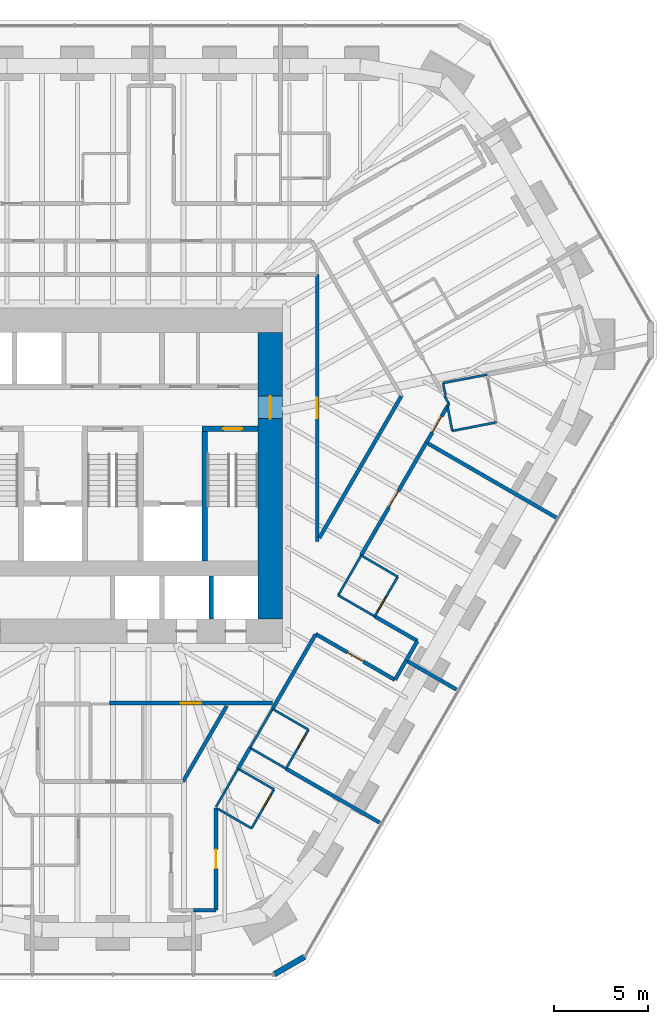
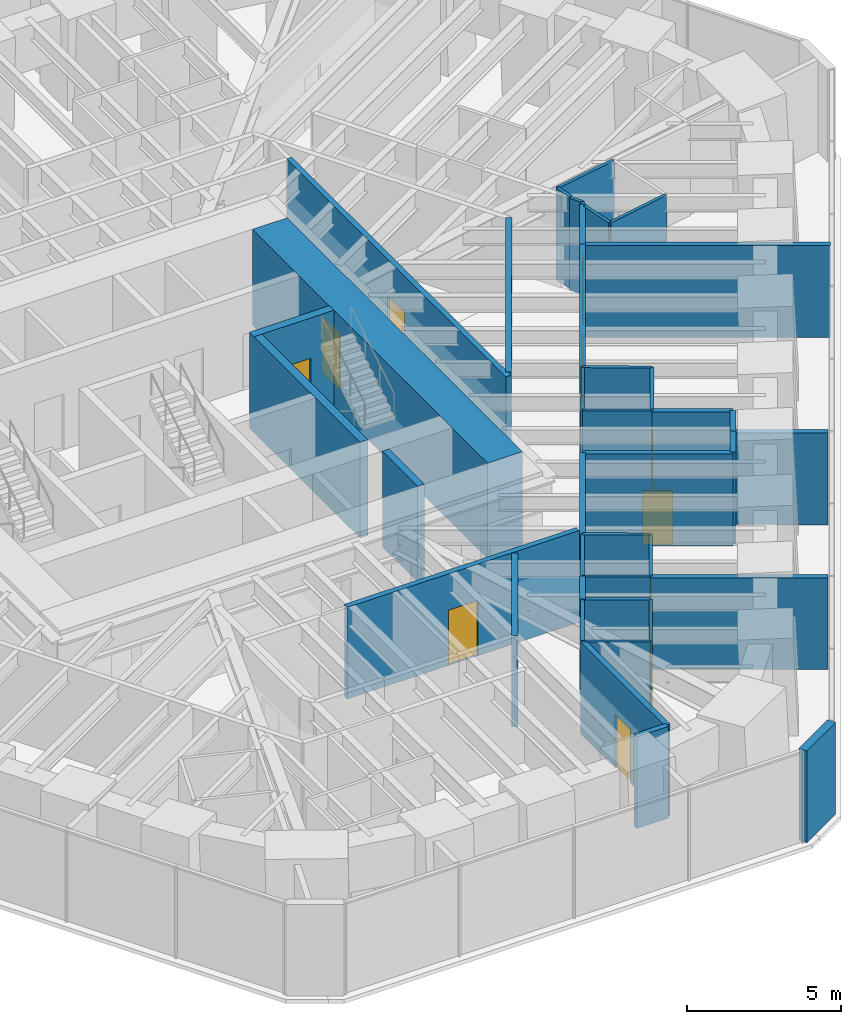
# One storey, part 13 of 17: 40 walls, 11 doors, 11 openings.
"""IFC4 building model written with IfcOpenShell, lengths in metres."""

import ifcopenshell
import ifcopenshell.guid

model = None  # the IFC model being written
_history = None  # IfcOwnerHistory: only IFC2X3 demands one
_inside = {}  # id of a spatial element -> (the spatial element, [elements in it])
_under = {}  # id of a project, library or spatial element -> (it, [spatial elements below it])
_declared = {}  # id of a project -> (the project, [libraries it declares])
_typed = {}  # id of a type object -> (the type object, [elements of that type])
_made_of = {}  # id of a material, layer set ... -> (it, [elements and type objects made of it])


def new_model(schema):
    """Start an empty IFC model of exactly this schema.

    Asked for "IFC4X3", IfcOpenShell would pick the latest addendum, in which some entities
    have other attributes; the version numbers below select the first issue.
    IFC2X3 requires an IfcOwnerHistory on every rooted entity: one is made here for all.
    """
    global model, _history
    if schema == "IFC4X3":
        model = ifcopenshell.file(schema_version=(4, 3, 0, 0))
    else:
        model = ifcopenshell.file(schema=schema)
    _inside.clear()
    _under.clear()
    _declared.clear()
    _typed.clear()
    _made_of.clear()
    _history = None
    if model.schema == "IFC2X3":
        org = make("IfcOrganization", Name="unknown")
        user = make(
            "IfcPersonAndOrganization",
            ThePerson=make("IfcPerson", FamilyName="unknown"),
            TheOrganization=org,
        )
        app = make(
            "IfcApplication",
            ApplicationDeveloper=org,
            Version="unknown",
            ApplicationFullName="unknown",
            ApplicationIdentifier="unknown",
        )
        _history = make(
            "IfcOwnerHistory",
            OwningUser=user,
            OwningApplication=app,
            ChangeAction="ADDED",
            CreationDate=0,
        )
    return model


def make(cls, **values):
    """One entity of the class cls with the attributes given. An attribute that is None is left unset."""
    return model.create_entity(
        cls, **{name: value for name, value in values.items() if value is not None}
    )


def rooted(cls, **values):
    """An entity with a GlobalId (a new one), such as an element, a storey or a relation."""
    return make(cls, GlobalId=ifcopenshell.guid.new(), OwnerHistory=_history, **values)


def si_unit(unit_type, name, prefix=None):
    """IfcSIUnit, for example si_unit("LENGTHUNIT", "METRE", prefix="MILLI")."""
    return make("IfcSIUnit", UnitType=unit_type, Prefix=prefix, Name=name)


def assignment(units):
    """IfcUnitAssignment: the units of a project."""
    return None if units is None else make("IfcUnitAssignment", Units=units)


def point(xyz):
    """IfcCartesianPoint."""
    return None if xyz is None else make("IfcCartesianPoint", Coordinates=xyz)


def direction(xyz):
    """IfcDirection."""
    return None if xyz is None else make("IfcDirection", DirectionRatios=xyz)


def frame(location, z_axis=None, x_axis=None):
    """IfcAxis2Placement3D, a coordinate frame: its origin and axes. An axis left out is left unset."""
    return make(
        "IfcAxis2Placement3D",
        Location=point(location),
        Axis=direction(z_axis),
        RefDirection=direction(x_axis),
    )


def frame_2d(location, x_axis=None):
    """IfcAxis2Placement2D, a coordinate frame in the plane: its origin and x axis."""
    return make(
        "IfcAxis2Placement2D", Location=point(location), RefDirection=direction(x_axis)
    )


def origin():
    """The frame at (0, 0, 0) with its axes left unset."""
    return frame((0.0, 0.0, 0.0))


def place(relative_to, where):
    """IfcLocalPlacement: puts the frame where relative to a parent placement (None: the world)."""
    return make(
        "IfcLocalPlacement", PlacementRelTo=relative_to, RelativePlacement=where
    )


def context(
    kind, dimensions, precision=None, world=None, true_north=None, identifier=None
):
    """IfcGeometricRepresentationContext, for example the 3D "Model" context."""
    return make(
        "IfcGeometricRepresentationContext",
        ContextIdentifier=identifier,
        ContextType=kind,
        CoordinateSpaceDimension=dimensions,
        Precision=precision,
        WorldCoordinateSystem=world,
        TrueNorth=true_north,
    )


def subcontext(parent, identifier, kind, view, scale=None):
    """IfcGeometricRepresentationSubContext, for example "Body" below "Model"."""
    return make(
        "IfcGeometricRepresentationSubContext",
        ContextIdentifier=identifier,
        ContextType=kind,
        ParentContext=parent,
        TargetScale=scale,
        TargetView=view,
    )


def project(units=None, contexts=None):
    """IfcProject with its units and contexts."""
    return rooted(
        "IfcProject",
        Name="project",
        RepresentationContexts=contexts,
        UnitsInContext=assignment(units),
    )


def spatial(cls, under=None, at=None, **own):
    """A site, building, storey or space (cls), placed at a placement, below another one or the project."""
    s = rooted(cls, ObjectPlacement=at, **own)
    if under is not None:
        _under.setdefault(under.id(), (under, []))[1].append(s)
    return s


def profile(cls, at=None, kind="AREA", **sizes):
    """A parametric profile (cls). Its sizes go by their IFC names, for example OverallWidth=200.0."""
    return make(cls, ProfileType=kind, Position=at, **sizes)


def rectangle(**sizes):
    """IfcRectangleProfileDef."""
    return profile("IfcRectangleProfileDef", **sizes)


def extrude(swept, where, along, depth):
    """IfcExtrudedAreaSolid: the profile swept, set in the frame where, extruded along a direction by depth."""
    return make(
        "IfcExtrudedAreaSolid",
        SweptArea=swept,
        Position=where,
        ExtrudedDirection=direction(along),
        Depth=depth,
    )


def shape(context_of_items, identifier, shape_type, items):
    """IfcShapeRepresentation: the items that make up one representation, for example the "Body"."""
    return make(
        "IfcShapeRepresentation",
        ContextOfItems=context_of_items,
        RepresentationIdentifier=identifier,
        RepresentationType=shape_type,
        Items=items,
    )


def material(Name=None, Category=None):
    """IfcMaterial."""
    return make("IfcMaterial", Name=Name, Category=Category)


def layer(
    of_material, thickness, ventilated=None, Name=None, Category=None, Priority=None
):
    """IfcMaterialLayer: one layer of a wall or slab, of a material (None: an air gap)."""
    return make(
        "IfcMaterialLayer",
        Material=of_material,
        LayerThickness=thickness,
        IsVentilated=ventilated,
        Name=Name,
        Category=Category,
        Priority=Priority,
    )


def layer_set(layers, Name=None):
    """IfcMaterialLayerSet."""
    return make("IfcMaterialLayerSet", MaterialLayers=layers, LayerSetName=Name)


def made_of(thing, what):
    """Note that an element or type object is made of a material, layer set ...; save() writes the relation."""
    if what is not None:
        _made_of.setdefault(what.id(), (what, []))[1].append(thing)
    return thing


def type_object(cls, material=None, **own):
    """A type object (cls), such as IfcWallType, which elements share."""
    return made_of(rooted(cls, **own), material)


def element(
    cls,
    number,
    at=None,
    inside=None,
    cuts=None,
    type_object=None,
    material=None,
    context=None,
    identifier="Body",
    shape_type=None,
    held_by="IfcProductDefinitionShape",
    body=None,
    shapes=None,
    **own,
):
    """One element of the class cls, such as IfcWall. Its Tag is "e" and its number.

    at: its placement. inside: the storey or other place that contains it. cuts: it is an
    opening in that element (IfcRelVoidsElement). A single representation is given by context,
    identifier, shape_type and body (its items); several are given by shapes. held_by: the class
    of the entity that holds the representations. save() writes the other relations.
    """
    e = rooted(cls, Tag="e%d" % number, ObjectPlacement=at, **own)
    if body is not None:
        shapes = [shape(context, identifier, shape_type, body)]
    if shapes is not None:
        e.Representation = make(held_by, Representations=shapes)
    if inside is not None:
        _inside.setdefault(inside.id(), (inside, []))[1].append(e)
    if cuts is not None:
        rooted(
            "IfcRelVoidsElement", RelatingBuildingElement=cuts, RelatedOpeningElement=e
        )
    if type_object is not None:
        _typed.setdefault(type_object.id(), (type_object, []))[1].append(e)
    return made_of(e, material)


def fill(opening, filler):
    """IfcRelFillsElement: the door or window that sits in an opening."""
    return rooted(
        "IfcRelFillsElement",
        RelatingOpeningElement=opening,
        RelatedBuildingElement=filler,
    )


def aggregate(whole, parts):
    """IfcRelAggregates: a whole, such as a stair, and the parts it consists of."""
    return rooted("IfcRelAggregates", RelatingObject=whole, RelatedObjects=parts)


def save(model, path):
    """Write the relations noted so far, then the file.

    IfcRelAggregates (storeys below a building ...), IfcRelContainedInSpatialStructure (elements
    in a storey), IfcRelDefinesByType, IfcRelAssociatesMaterial and IfcRelDeclares: one each for
    every whole, place, type object, material and project.
    """
    for whole, parts in _under.values():
        aggregate(whole, parts)
    for where, things in _inside.values():
        rooted(
            "IfcRelContainedInSpatialStructure",
            RelatedElements=things,
            RelatingStructure=where,
        )
    for kind, things in _typed.values():
        rooted("IfcRelDefinesByType", RelatedObjects=things, RelatingType=kind)
    for what, things in _made_of.values():
        rooted("IfcRelAssociatesMaterial", RelatedObjects=things, RelatingMaterial=what)
    for by, libraries in _declared.values():
        rooted("IfcRelDeclares", RelatingContext=by, RelatedDefinitions=libraries)
    model.write(path)


model = new_model("IFC4")

# Units and contexts
model_context = context("Model", 3, precision=1e-05, world=origin(), true_north=direction((0.0, 1.0)))
body_context = subcontext(model_context, "Body", "Model", "MODEL_VIEW")
ifc_project = project(units=[si_unit("LENGTHUNIT", "METRE"), si_unit("AREAUNIT", "SQUARE_METRE"), si_unit("VOLUMEUNIT", "CUBIC_METRE"), si_unit("PLANEANGLEUNIT", "RADIAN"), si_unit("MASSUNIT", "GRAM", prefix="KILO")], contexts=[model_context])

# Site, building, storey
site_placement = place(None, origin())
site = spatial("IfcSite", under=ifc_project, at=site_placement, CompositionType="ELEMENT")
building_placement = place(site_placement, origin())
building = spatial("IfcBuilding", under=site, at=building_placement, Name="Sandreach Pilgrim Tower", CompositionType="ELEMENT")
storey_placement = place(building_placement, frame((0.0, 0.0, 165.199951171875)))
storey = spatial("IfcBuildingStorey", under=building, at=storey_placement, Name="L41", CompositionType="ELEMENT", Elevation=165.199951171875)

# Walls
ifc_material_1 = material(Name="Moisture-resistant gypsum board on steel studs", Category="steel")
ifc_layer_1 = layer(ifc_material_1, 0.1201171875)
ifc_layer_set_1 = layer_set([ifc_layer_1], Name="Bathroom partition 120")
wall_type_1 = type_object("IfcWallType", Name="Bathroom partition 120", PredefinedType="PARTITIONING", material=ifc_layer_set_1)
wall_1_placement = place(storey_placement, frame((5.510009765625, -19.25, 0.0), z_axis=(0.0, 0.0, 1.0), x_axis=(0.498837591974, 0.866695481028, 0.0)))
element("IfcWall", 1, at=wall_1_placement, inside=storey, type_object=wall_type_1, Name="Bathroom partition L41-111", PredefinedType="PARTITIONING", context=body_context, shape_type="SweptSolid", body=[
    extrude(rectangle(XDim=2.365478515625, YDim=0.1201171875, at=frame_2d((1.1826171875, 0.0))), origin(), (0.0, 0.0, 1.0), 3.64013671875),
])
wall_2_placement = place(storey_placement, frame((5.566162109375, -19.322509765625, 0.0), z_axis=(0.0, 0.0, 1.0), x_axis=(0.865436746432, -0.501018201192, 0.0)))
element("IfcWall", 2, at=wall_2_placement, inside=storey, type_object=wall_type_1, Name="Bathroom partition L41-112", PredefinedType="PARTITIONING", context=body_context, shape_type="SweptSolid", body=[
    extrude(rectangle(XDim=2.13037109375, YDim=0.1201171875, at=frame_2d((1.065185546875, 0.0))), origin(), (0.0, 0.0, 1.0), 3.64013671875),
])
wall_3_placement = place(storey_placement, frame((7.330078125, -16.090087890625, 0.0), z_axis=(0.0, 0.0, 1.0), x_axis=(0.499693115345, 0.866202511239, 0.0)))
element("IfcWall", 3, at=wall_3_placement, inside=storey, type_object=wall_type_1, Name="Bathroom partition L41-120", PredefinedType="PARTITIONING", context=body_context, shape_type="SweptSolid", body=[
    extrude(rectangle(XDim=2.4013671875, YDim=0.1201171875, at=frame_2d((1.20068359375, 0.0))), origin(), (0.0, 0.0, 1.0), 3.64013671875),
])
wall_4_placement = place(storey_placement, frame((7.330078125, -16.090087890625, 0.0), z_axis=(0.0, 0.0, 1.0), x_axis=(0.86575271903, -0.500472006703, 0.0)))
element("IfcWall", 4, at=wall_4_placement, inside=storey, type_object=wall_type_1, Name="Bathroom partition L41-121", PredefinedType="PARTITIONING", context=body_context, shape_type="SweptSolid", body=[
    extrude(rectangle(XDim=2.217529296875, YDim=0.1201171875, at=frame_2d((1.10888671875, 0.0))), origin(), (0.0, 0.0, 1.0), 3.64013671875),
])

# Wall, opening, door
wall_5_placement = place(storey_placement, frame((7.409912109375, -20.389892578125, 0.0), z_axis=(0.0, 0.0, 1.0), x_axis=(0.499737123639, 0.866177122335, 0.0)))
wall_5 = element("IfcWall", 5, at=wall_5_placement, inside=storey, type_object=wall_type_1, Name="Bathroom partition L41-122", PredefinedType="PARTITIONING", context=body_context, shape_type="SweptSolid", body=[
    extrude(rectangle(XDim=2.401123046875, YDim=0.1201171875, at=frame_2d((1.20068359375, 0.0))), origin(), (0.0, 0.0, 1.0), 3.64013671875),
])
opening_1_placement = place(wall_5_placement, frame((1.201416015625, 0.0, 0.0)))
opening_1 = element("IfcOpeningElement", 6, at=opening_1_placement, cuts=wall_5, Name="Opening D09-10B", PredefinedType="OPENING", context=body_context, shape_type="SweptSolid", body=[
    extrude(rectangle(XDim=0.89990234375, YDim=2.030029296875, at=frame_2d((0.449951171875, 1.01513671875))), frame((0.0, 0.06005859375, 0.0), z_axis=(0.0, -1.0, 0.0), x_axis=(1.0, 0.0, 0.0)), (0.0, 0.0, 1.0), 0.1201171875),
])
ifc_material_2 = material(Name="Timber door, steel frame", Category="steel")
door_type_1 = type_object("IfcDoorType", Name="Bathroom door", OperationType="SINGLE_SWING_LEFT", PredefinedType="DOOR", material=ifc_material_2)
door_1_placement = place(opening_1_placement, origin())
door_1 = element("IfcDoor", 7, at=door_1_placement, inside=storey, type_object=door_type_1, Name="Door 4110B", OperationType="SINGLE_SWING_RIGHT", OverallHeight=2.030029296875, OverallWidth=0.89990234375, PredefinedType="DOOR", context=body_context, shape_type="SweptSolid", body=[
    extrude(rectangle(XDim=0.89990234375, YDim=2.030029296875, at=frame_2d((0.449951171875, 1.01513671875))), frame((0.0, 0.02490234375, 0.0), z_axis=(0.0, -1.0, 0.0), x_axis=(1.0, 0.0, 0.0)), (0.0, 0.0, 1.0), 0.050048828125),
])
fill(opening_1, door_1)

# Wall
wall_6_placement = place(storey_placement, frame((8.610107421875, -18.31005859375, 0.0), z_axis=(0.0, 0.0, 1.0), x_axis=(-0.865732595383, 0.500506816428, 0.0)))
element("IfcWall", 8, at=wall_6_placement, inside=storey, type_object=wall_type_1, Name="Bathroom partition L41-125", PredefinedType="PARTITIONING", context=body_context, shape_type="SweptSolid", body=[
    extrude(rectangle(XDim=2.218017578125, YDim=0.1201171875, at=frame_2d((1.10888671875, 0.0))), origin(), (0.0, 0.0, 1.0), 3.64013671875),
])

# Wall, opening, door
wall_7_placement = place(storey_placement, frame((9.25, -17.199951171875, 0.0), z_axis=(0.0, 0.0, 1.0), x_axis=(0.499737123639, 0.866177122335, 0.0)))
wall_7 = element("IfcWall", 9, at=wall_7_placement, inside=storey, type_object=wall_type_1, Name="Bathroom partition L41-133", PredefinedType="PARTITIONING", context=body_context, shape_type="SweptSolid", body=[
    extrude(rectangle(XDim=2.401123046875, YDim=0.1201171875, at=frame_2d((1.20068359375, 0.0))), origin(), (0.0, 0.0, 1.0), 3.64013671875),
])
opening_2_placement = place(wall_7_placement, frame((1.201416015625, 0.0, 0.0)))
opening_2 = element("IfcOpeningElement", 10, at=opening_2_placement, cuts=wall_7, Name="Opening D09-09B", PredefinedType="OPENING", context=body_context, shape_type="SweptSolid", body=[
    extrude(rectangle(XDim=0.89990234375, YDim=2.030029296875, at=frame_2d((0.449951171875, 1.01513671875))), frame((0.0, 0.06005859375, 0.0), z_axis=(0.0, -1.0, 0.0), x_axis=(1.0, 0.0, 0.0)), (0.0, 0.0, 1.0), 0.1201171875),
])
door_2_placement = place(opening_2_placement, origin())
door_2 = element("IfcDoor", 11, at=door_2_placement, inside=storey, type_object=door_type_1, Name="Door 4109B", OperationType="SINGLE_SWING_RIGHT", OverallHeight=2.030029296875, OverallWidth=0.89990234375, PredefinedType="DOOR", context=body_context, shape_type="SweptSolid", body=[
    extrude(rectangle(XDim=0.89990234375, YDim=2.030029296875, at=frame_2d((0.449951171875, 1.01513671875))), frame((0.0, 0.02490234375, 0.0), z_axis=(0.0, -1.0, 0.0), x_axis=(1.0, 0.0, 0.0)), (0.0, 0.0, 1.0), 0.050048828125),
])
fill(opening_2, door_2)

# Walls
wall_8_placement = place(storey_placement, frame((10.449951171875, -15.1201171875, 0.0), z_axis=(0.0, 0.0, 1.0), x_axis=(-0.865705017107, 0.500554515868, 0.0)))
element("IfcWall", 12, at=wall_8_placement, inside=storey, type_object=wall_type_1, Name="Bathroom partition L41-135", PredefinedType="PARTITIONING", context=body_context, shape_type="SweptSolid", body=[
    extrude(rectangle(XDim=2.2177734375, YDim=0.1201171875, at=frame_2d((1.10888671875, 0.0))), origin(), (0.0, 0.0, 1.0), 3.64013671875),
])
wall_9_placement = place(storey_placement, frame((12.0400390625, -7.93994140625, 0.0), z_axis=(0.0, 0.0, 1.0), x_axis=(0.866198237018, -0.499700524501, 0.0)))
element("IfcWall", 13, at=wall_9_placement, inside=storey, type_object=wall_type_1, Name="Bathroom partition L41-145", PredefinedType="PARTITIONING", context=body_context, shape_type="SweptSolid", body=[
    extrude(rectangle(XDim=2.2490234375, YDim=0.1201171875, at=frame_2d((1.12451171875, 0.0))), origin(), (0.0, 0.0, 1.0), 3.64013671875),
])
wall_10_placement = place(storey_placement, frame((13.27001953125, -5.81005859375, 0.0), z_axis=(0.0, 0.0, 1.0), x_axis=(-0.500089055364, -0.86597398154, 0.0)))
element("IfcWall", 14, at=wall_10_placement, inside=storey, type_object=wall_type_1, Name="Bathroom partition L41-149", PredefinedType="PARTITIONING", context=body_context, shape_type="SweptSolid", body=[
    extrude(rectangle(XDim=2.45947265625, YDim=0.1201171875, at=frame_2d((1.229736328125, 0.0))), origin(), (0.0, 0.0, 1.0), 3.64013671875),
])

# Wall, opening, door
wall_11_placement = place(storey_placement, frame((13.989990234375, -9.06005859375, 0.0), z_axis=(0.0, 0.0, 1.0), x_axis=(0.503591322258, 0.863942000453, 0.0)))
wall_11 = element("IfcWall", 15, at=wall_11_placement, inside=storey, type_object=wall_type_1, Name="Bathroom partition L41-151", PredefinedType="PARTITIONING", context=body_context, shape_type="SweptSolid", body=[
    extrude(rectangle(XDim=2.4423828125, YDim=0.1201171875, at=frame_2d((1.22119140625, 0.0))), origin(), (0.0, 0.0, 1.0), 3.64013671875),
])
opening_3_placement = place(wall_11_placement, frame((0.300048828125, 0.0, 0.0)))
opening_3 = element("IfcOpeningElement", 16, at=opening_3_placement, cuts=wall_11, Name="Opening D09-08B", PredefinedType="OPENING", context=body_context, shape_type="SweptSolid", body=[
    extrude(rectangle(XDim=0.89990234375, YDim=2.030029296875, at=frame_2d((0.449951171875, 1.01513671875))), frame((0.0, 0.06005859375, 0.0), z_axis=(0.0, -1.0, 0.0), x_axis=(1.0, 0.0, 0.0)), (0.0, 0.0, 1.0), 0.1201171875),
])
door_3_placement = place(opening_3_placement, origin())
door_3 = element("IfcDoor", 17, at=door_3_placement, inside=storey, type_object=door_type_1, Name="Door 4108B", OperationType="SINGLE_SWING_LEFT", OverallHeight=2.030029296875, OverallWidth=0.89990234375, PredefinedType="DOOR", context=body_context, shape_type="SweptSolid", body=[
    extrude(rectangle(XDim=0.89990234375, YDim=2.030029296875, at=frame_2d((0.449951171875, 1.01513671875))), frame((0.0, 0.02490234375, 0.0), z_axis=(0.0, -1.0, 0.0), x_axis=(1.0, 0.0, 0.0)), (0.0, 0.0, 1.0), 0.050048828125),
])
fill(opening_3, door_3)

# Walls
wall_12_placement = place(storey_placement, frame((15.219970703125, -6.949951171875, 0.0), z_axis=(0.0, 0.0, 1.0), x_axis=(-0.863312009027, 0.50467056093, 0.0)))
element("IfcWall", 18, at=wall_12_placement, inside=storey, type_object=wall_type_1, Name="Bathroom partition L41-154", PredefinedType="PARTITIONING", context=body_context, shape_type="SweptSolid", body=[
    extrude(rectangle(XDim=2.2587890625, YDim=0.1201171875, at=frame_2d((1.12939453125, 0.0))), origin(), (0.0, 0.0, 1.0), 3.64013671875),
])
wall_13_placement = place(storey_placement, frame((17.639892578125, 3.39990234375, 0.0), z_axis=(0.0, 0.0, 1.0), x_axis=(0.982288725898, 0.187373581313, 0.0)))
element("IfcWall", 19, at=wall_13_placement, inside=storey, type_object=wall_type_1, Name="Bathroom partition L41-161", PredefinedType="PARTITIONING", context=body_context, shape_type="SweptSolid", body=[
    extrude(rectangle(XDim=2.402587890625, YDim=0.1201171875, at=frame_2d((1.201171875, 0.0))), origin(), (0.0, 0.0, 1.0), 3.64013671875),
])
wall_14_placement = place(storey_placement, frame((17.719970703125, 2.699951171875, 0.0), z_axis=(0.0, 0.0, 1.0), x_axis=(0.498530782172, -0.866871997025, 0.0)))
element("IfcWall", 20, at=wall_14_placement, inside=storey, type_object=wall_type_1, Name="Bathroom partition L41-162", PredefinedType="PARTITIONING", context=body_context, shape_type="SweptSolid", body=[
    extrude(rectangle(XDim=0.46142578125, YDim=0.1201171875, at=frame_2d((0.230712890625, 0.0))), origin(), (0.0, 0.0, 1.0), 3.64013671875),
])
wall_15_placement = place(storey_placement, frame((17.773681640625, 2.7314453125, 0.0), z_axis=(0.0, 0.0, 1.0), x_axis=(-0.196253874553, 0.980553117747, 0.0)))
element("IfcWall", 21, at=wall_15_placement, inside=storey, type_object=wall_type_1, Name="Bathroom partition L41-163", PredefinedType="PARTITIONING", context=body_context, shape_type="SweptSolid", body=[
    extrude(rectangle(XDim=0.681640625, YDim=0.1201171875, at=frame_2d((0.3408203125, 0.0))), origin(), (0.0, 0.0, 1.0), 3.64013671875),
])
wall_16_placement = place(storey_placement, frame((17.8798828125, 2.169921875, 0.0), z_axis=(0.0, 0.0, 1.0), x_axis=(0.474099823035, 0.880471099922, 0.0)))
element("IfcWall", 22, at=wall_16_placement, inside=storey, type_object=wall_type_1, Name="Bathroom partition L41-164", PredefinedType="PARTITIONING", context=body_context, shape_type="SweptSolid", body=[
    extrude(rectangle(XDim=0.147705078125, YDim=0.1201171875, at=frame_2d((0.07373046875, 0.0))), origin(), (0.0, 0.0, 1.0), 3.64013671875),
])
wall_17_placement = place(storey_placement, frame((17.896728515625, 2.08154296875, 0.0), z_axis=(0.0, 0.0, 1.0), x_axis=(0.184580266957, -0.982817442382, 0.0)))
element("IfcWall", 23, at=wall_17_placement, inside=storey, type_object=wall_type_1, Name="Bathroom partition L41-165", PredefinedType="PARTITIONING", context=body_context, shape_type="SweptSolid", body=[
    extrude(rectangle(XDim=1.26318359375, YDim=0.1201171875, at=frame_2d((0.631591796875, 0.0))), origin(), (0.0, 0.0, 1.0), 3.64013671875),
])
wall_18_placement = place(storey_placement, frame((18.1298828125, 0.840087890625, 0.0), z_axis=(0.0, 0.0, 1.0), x_axis=(0.981533392326, 0.191290877329, 0.0)))
element("IfcWall", 24, at=wall_18_placement, inside=storey, type_object=wall_type_1, Name="Bathroom partition L41-166", PredefinedType="PARTITIONING", context=body_context, shape_type="SweptSolid", body=[
    extrude(rectangle(XDim=2.404541015625, YDim=0.1201171875, at=frame_2d((1.2021484375, 0.0))), origin(), (0.0, 0.0, 1.0), 3.64013671875),
])
ifc_material_3 = material(Name="Concrete 10000 psi", Category="concrete")
ifc_layer_2 = layer(ifc_material_3, 0.300048828125)
ifc_layer_set_2 = layer_set([ifc_layer_2], Name="Core inner wall 300")
wall_type_2 = type_object("IfcWallType", Name="Core inner wall 300", PredefinedType="SHEAR", material=ifc_layer_set_2)
wall_19_placement = place(storey_placement, frame((4.89990234375, -6.10009765625, 0.0), z_axis=(0.0, 0.0, 1.0), x_axis=(0.0, 1.0, 0.0)))
element("IfcWall", 25, at=wall_19_placement, inside=storey, type_object=wall_type_2, Name="Core wall I3 L41", PredefinedType="SHEAR", context=body_context, shape_type="SweptSolid", body=[
    extrude(rectangle(XDim=7.2001953125, YDim=0.300048828125, at=frame_2d((3.60009765625, 0.0))), origin(), (0.0, 0.0, 1.0), 3.800048828125),
])

# Wall, opening, door
wall_20_placement = place(storey_placement, frame((4.75, 0.949951171875, 0.0), z_axis=(0.0, 0.0, 1.0), x_axis=(1.0, 0.0, 0.0)))
wall_20 = element("IfcWall", 26, at=wall_20_placement, inside=storey, type_object=wall_type_2, Name="Core wall SN2 L41", PredefinedType="SHEAR", context=body_context, shape_type="SweptSolid", body=[
    extrude(rectangle(XDim=3.0, YDim=0.300048828125, at=frame_2d((1.5, 0.0))), origin(), (0.0, 0.0, 1.0), 3.800048828125),
])
opening_4_placement = place(wall_20_placement, frame((1.14990234375, 0.0, 0.0)))
opening_4 = element("IfcOpeningElement", 27, at=opening_4_placement, cuts=wall_20, Name="Opening D10S-ST2", PredefinedType="OPENING", context=body_context, shape_type="SweptSolid", body=[
    extrude(rectangle(XDim=1.0, YDim=2.199951171875, at=frame_2d((0.5, 1.10009765625))), frame((0.0, 0.14990234375, 0.0), z_axis=(0.0, -1.0, 0.0), x_axis=(1.0, 0.0, 0.0)), (0.0, 0.0, 1.0), 0.300048828125),
])
ifc_material_4 = material(Name="Steel door and frame", Category="steel")
door_type_2 = type_object("IfcDoorType", Name="Stair door", OperationType="SINGLE_SWING_LEFT", PredefinedType="DOOR", material=ifc_material_4)
door_4_placement = place(opening_4_placement, origin())
door_4 = element("IfcDoor", 28, at=door_4_placement, inside=storey, type_object=door_type_2, Name="Stair door ST2 L41", OperationType="SINGLE_SWING_RIGHT", OverallHeight=2.199951171875, OverallWidth=1.0, PredefinedType="DOOR", context=body_context, shape_type="SweptSolid", body=[
    extrude(rectangle(XDim=1.0, YDim=2.199951171875, at=frame_2d((0.5, 1.10009765625))), frame((0.0, 0.02490234375, 0.0), z_axis=(0.0, -1.0, 0.0), x_axis=(1.0, 0.0, 0.0)), (0.0, 0.0, 1.0), 0.050048828125),
])
fill(opening_4, door_4)

ifc_material_5 = material(Name="Concrete 10000 psi", Category="concrete")
ifc_layer_3 = layer(ifc_material_5, 1.300048828125)
ifc_layer_set_3 = layer_set([ifc_layer_3], Name="Core wall 1300")
wall_type_3 = type_object("IfcWallType", Name="Core wall 1300", PredefinedType="SHEAR", material=ifc_layer_set_3)
wall_21_placement = place(storey_placement, frame((8.39990234375, -9.199951171875, 0.0), z_axis=(0.0, 0.0, 1.0), x_axis=(0.0, 1.0, 0.0)))
wall_21 = element("IfcWall", 29, at=wall_21_placement, inside=storey, type_object=wall_type_3, Name="Core wall E L41", PredefinedType="SHEAR", context=body_context, shape_type="SweptSolid", body=[
    extrude(rectangle(XDim=15.300048828125, YDim=1.300048828125, at=frame_2d((7.64990234375, 0.0))), origin(), (0.0, 0.0, 1.0), 3.800048828125),
])
opening_5_placement = place(wall_21_placement, frame((10.699951171875, 0.0, 0.0)))
opening_5 = element("IfcOpeningElement", 30, at=opening_5_placement, cuts=wall_21, Name="Opening D12F-E", PredefinedType="OPENING", context=body_context, shape_type="SweptSolid", body=[
    extrude(rectangle(XDim=1.199951171875, YDim=2.199951171875, at=frame_2d((0.60009765625, 1.10009765625))), frame((0.0, 0.64990234375, 0.0), z_axis=(0.0, -1.0, 0.0), x_axis=(1.0, 0.0, 0.0)), (0.0, 0.0, 1.0), 1.300048828125),
])
ifc_material_6 = material(Name="Steel door and frame", Category="steel")
door_type_3 = type_object("IfcDoorType", Name="Fire lobby door", OperationType="SINGLE_SWING_LEFT", PredefinedType="DOOR", material=ifc_material_6)
door_5_placement = place(opening_5_placement, origin())
door_5 = element("IfcDoor", 31, at=door_5_placement, inside=storey, type_object=door_type_3, Name="Fire service lobby door E L41", OperationType="SINGLE_SWING_RIGHT", OverallHeight=2.199951171875, OverallWidth=1.199951171875, PredefinedType="DOOR", context=body_context, shape_type="SweptSolid", body=[
    extrude(rectangle(XDim=1.199951171875, YDim=2.199951171875, at=frame_2d((0.60009765625, 1.10009765625))), frame((0.0, 0.02490234375, 0.0), z_axis=(0.0, -1.0, 0.0), x_axis=(1.0, 0.0, 0.0)), (0.0, 0.0, 1.0), 0.050048828125),
])
fill(opening_5, door_5)

# Wall
ifc_material_7 = material(Name="Gypsum board on steel studs, two layers each side", Category="steel")
ifc_layer_4 = layer(ifc_material_7, 0.199951171875)
ifc_layer_set_4 = layer_set([ifc_layer_4], Name="Corridor wall 200")
wall_type_4 = type_object("IfcWallType", Name="Corridor wall 200", PredefinedType="PARTITIONING", material=ifc_layer_set_4)
wall_22_placement = place(storey_placement, frame((4.31005859375, -24.760009765625, 0.0), z_axis=(0.0, 0.0, 1.0), x_axis=(1.0, 0.0, 0.0)))
element("IfcWall", 32, at=wall_22_placement, inside=storey, type_object=wall_type_4, Name="Corridor wall L41-109", PredefinedType="PARTITIONING", context=body_context, shape_type="SweptSolid", body=[
    extrude(rectangle(XDim=1.18994140625, YDim=0.199951171875, at=frame_2d((0.594970703125, 0.0))), origin(), (0.0, 0.0, 1.0), 3.64013671875),
])

# Wall, opening, door
wall_23_placement = place(storey_placement, frame((5.510009765625, -24.760009765625, 0.0), z_axis=(0.0, 0.0, 1.0), x_axis=(0.0, 1.0, 0.0)))
wall_23 = element("IfcWall", 33, at=wall_23_placement, inside=storey, type_object=wall_type_4, Name="Corridor wall L41-110", PredefinedType="PARTITIONING", context=body_context, shape_type="SweptSolid", body=[
    extrude(rectangle(XDim=5.469970703125, YDim=0.199951171875, at=frame_2d((2.73486328125, 0.0))), origin(), (0.0, 0.0, 1.0), 3.64013671875),
])
opening_6_placement = place(wall_23_placement, frame((2.235107421875, 0.0, 0.0)))
opening_6 = element("IfcOpeningElement", 34, at=opening_6_placement, cuts=wall_23, Name="Opening D10-10", PredefinedType="OPENING", context=body_context, shape_type="SweptSolid", body=[
    extrude(rectangle(XDim=1.0, YDim=2.1298828125, at=frame_2d((0.5, 1.06494140625))), frame((0.0, 0.10009765625, 0.0), z_axis=(0.0, -1.0, 0.0), x_axis=(1.0, 0.0, 0.0)), (0.0, 0.0, 1.0), 0.199951171875),
])
ifc_material_8 = material(Name="Steel door and frame", Category="steel")
door_type_4 = type_object("IfcDoorType", Name="Guest room entry door", OperationType="SINGLE_SWING_LEFT", PredefinedType="DOOR", material=ifc_material_8)
door_6_placement = place(opening_6_placement, origin())
door_6 = element("IfcDoor", 35, at=door_6_placement, inside=storey, type_object=door_type_4, Name="Door 4110", OperationType="SINGLE_SWING_LEFT", OverallHeight=2.1298828125, OverallWidth=1.0, PredefinedType="DOOR", context=body_context, shape_type="SweptSolid", body=[
    extrude(rectangle(XDim=1.0, YDim=2.1298828125, at=frame_2d((0.5, 1.06494140625))), frame((0.0, 0.02490234375, 0.0), z_axis=(0.0, -1.0, 0.0), x_axis=(1.0, 0.0, 0.0)), (0.0, 0.0, 1.0), 0.050048828125),
])
fill(opening_6, door_6)

# Walls
wall_24_placement = place(storey_placement, frame((6.08251953125, -13.849609375, 0.0), z_axis=(0.0, 0.0, 1.0), x_axis=(-0.499977643516, -0.866038310922, 0.0)))
element("IfcWall", 36, at=wall_24_placement, inside=storey, type_object=wall_type_4, Name="Corridor wall L41-113", PredefinedType="PARTITIONING", context=body_context, shape_type="SweptSolid", body=[
    extrude(rectangle(XDim=4.665283203125, YDim=0.199951171875, at=frame_2d((2.33251953125, 0.0))), origin(), (0.0, 0.0, 1.0), 3.64013671875),
])
wall_25_placement = place(storey_placement, frame((6.68994140625, -17.199951171875, 0.0), z_axis=(0.0, 0.0, 1.0), x_axis=(0.499623473928, 0.866242682105, 0.0)))
element("IfcWall", 37, at=wall_25_placement, inside=storey, type_object=wall_type_4, Name="Corridor wall L41-119", PredefinedType="PARTITIONING", context=body_context, shape_type="SweptSolid", body=[
    extrude(rectangle(XDim=1.28125, YDim=0.199951171875, at=frame_2d((0.640625, 0.0))), origin(), (0.0, 0.0, 1.0), 3.64013671875),
])
wall_26_placement = place(storey_placement, frame((8.530029296875, -14.010009765625, 0.0), z_axis=(0.0, 0.0, 1.0), x_axis=(0.500091179446, 0.865972754907, 0.0)))
element("IfcWall", 38, at=wall_26_placement, inside=storey, type_object=wall_type_4, Name="Corridor wall L41-123", PredefinedType="PARTITIONING", context=body_context, shape_type="SweptSolid", body=[
    extrude(rectangle(XDim=4.604248046875, YDim=0.199951171875, at=frame_2d((2.30224609375, 0.0))), origin(), (0.0, 0.0, 1.0), 3.64013671875),
])

# Wall, opening, door
wall_27_placement = place(storey_placement, frame((8.53369140625, -13.699951171875, 0.0), z_axis=(0.0, 0.0, 1.0), x_axis=(-1.0, 0.0, 0.0)))
wall_27 = element("IfcWall", 39, at=wall_27_placement, inside=storey, type_object=wall_type_4, Name="Corridor wall L41-124", PredefinedType="PARTITIONING", context=body_context, shape_type="SweptSolid", body=[
    extrude(rectangle(XDim=8.70361328125, YDim=0.199951171875, at=frame_2d((4.351806640625, 0.0))), origin(), (0.0, 0.0, 1.0), 3.64013671875),
])
opening_7_placement = place(wall_27_placement, frame((3.8017578125, 0.0, 0.0)))
opening_7 = element("IfcOpeningElement", 40, at=opening_7_placement, cuts=wall_27, Name="Opening D11H-S4", PredefinedType="OPENING", context=body_context, shape_type="SweptSolid", body=[
    extrude(rectangle(XDim=1.10009765625, YDim=2.199951171875, at=frame_2d((0.550048828125, 1.10009765625))), frame((0.0, 0.10009765625, 0.0), z_axis=(0.0, -1.0, 0.0), x_axis=(1.0, 0.0, 0.0)), (0.0, 0.0, 1.0), 0.199951171875),
])
ifc_material_9 = material(Name="Steel door and frame", Category="steel")
door_type_5 = type_object("IfcDoorType", Name="Back of house door", OperationType="SINGLE_SWING_LEFT", PredefinedType="DOOR", material=ifc_material_9)
door_7_placement = place(opening_7_placement, origin())
door_7 = element("IfcDoor", 41, at=door_7_placement, inside=storey, type_object=door_type_5, Name="Door 41S4", OperationType="SINGLE_SWING_LEFT", OverallHeight=2.199951171875, OverallWidth=1.10009765625, PredefinedType="DOOR", context=body_context, shape_type="SweptSolid", body=[
    extrude(rectangle(XDim=1.10009765625, YDim=2.199951171875, at=frame_2d((0.550048828125, 1.10009765625))), frame((0.0, 0.02490234375, 0.0), z_axis=(0.0, -1.0, 0.0), x_axis=(1.0, 0.0, 0.0)), (0.0, 0.0, 1.0), 0.050048828125),
])
fill(opening_7, door_7)

wall_28_placement = place(storey_placement, frame((10.840087890625, -10.010009765625, 0.0), z_axis=(0.0, 0.0, 1.0), x_axis=(0.865336226565, -0.50119179462, 0.0)))
wall_28 = element("IfcWall", 42, at=wall_28_placement, inside=storey, type_object=wall_type_4, Name="Corridor wall L41-137", PredefinedType="PARTITIONING", context=body_context, shape_type="SweptSolid", body=[
    extrude(rectangle(XDim=4.88818359375, YDim=0.199951171875, at=frame_2d((2.444091796875, 0.0))), origin(), (0.0, 0.0, 1.0), 3.64013671875),
])
opening_8_placement = place(wall_28_placement, frame((1.944091796875, 0.0, 0.0)))
opening_8 = element("IfcOpeningElement", 43, at=opening_8_placement, cuts=wall_28, Name="Opening D10-09", PredefinedType="OPENING", context=body_context, shape_type="SweptSolid", body=[
    extrude(rectangle(XDim=1.0, YDim=2.1298828125, at=frame_2d((0.5, 1.06494140625))), frame((0.0, 0.10009765625, 0.0), z_axis=(0.0, -1.0, 0.0), x_axis=(1.0, 0.0, 0.0)), (0.0, 0.0, 1.0), 0.199951171875),
])
door_8_placement = place(opening_8_placement, origin())
door_8 = element("IfcDoor", 44, at=door_8_placement, inside=storey, type_object=door_type_4, Name="Door 4109", OperationType="SINGLE_SWING_LEFT", OverallHeight=2.1298828125, OverallWidth=1.0, PredefinedType="DOOR", context=body_context, shape_type="SweptSolid", body=[
    extrude(rectangle(XDim=1.0, YDim=2.1298828125, at=frame_2d((0.5, 1.06494140625))), frame((0.0, 0.02490234375, 0.0), z_axis=(0.0, -1.0, 0.0), x_axis=(1.0, 0.0, 0.0)), (0.0, 0.0, 1.0), 0.050048828125),
])
fill(opening_8, door_8)

wall_29_placement = place(storey_placement, frame((10.919921875, -5.070068359375, 0.0), z_axis=(0.0, 0.0, 1.0), x_axis=(0.0, 1.0, 0.0)))
wall_29 = element("IfcWall", 45, at=wall_29_placement, inside=storey, type_object=wall_type_4, Name="Corridor wall L41-139", PredefinedType="PARTITIONING", context=body_context, shape_type="SweptSolid", body=[
    extrude(rectangle(XDim=14.27001953125, YDim=0.199951171875, at=frame_2d((7.135009765625, 0.0))), origin(), (0.0, 0.0, 1.0), 3.64013671875),
])
opening_9_placement = place(wall_29_placement, frame((6.5849609375, 0.0, 0.0)))
opening_9 = element("IfcOpeningElement", 46, at=opening_9_placement, cuts=wall_29, Name="Opening D11H-M07", PredefinedType="OPENING", context=body_context, shape_type="SweptSolid", body=[
    extrude(rectangle(XDim=1.10009765625, YDim=2.199951171875, at=frame_2d((0.550048828125, 1.10009765625))), frame((0.0, 0.10009765625, 0.0), z_axis=(0.0, -1.0, 0.0), x_axis=(1.0, 0.0, 0.0)), (0.0, 0.0, 1.0), 0.199951171875),
])
door_9_placement = place(opening_9_placement, origin())
door_9 = element("IfcDoor", 47, at=door_9_placement, inside=storey, type_object=door_type_5, Name="Door 41M07", OperationType="SINGLE_SWING_LEFT", OverallHeight=2.199951171875, OverallWidth=1.10009765625, PredefinedType="DOOR", context=body_context, shape_type="SweptSolid", body=[
    extrude(rectangle(XDim=1.10009765625, YDim=2.199951171875, at=frame_2d((0.550048828125, 1.10009765625))), frame((0.0, 0.02490234375, 0.0), z_axis=(0.0, -1.0, 0.0), x_axis=(1.0, 0.0, 0.0)), (0.0, 0.0, 1.0), 0.050048828125),
])
fill(opening_9, door_9)

wall_30_placement = place(storey_placement, frame((13.260009765625, -5.81005859375, 0.0), z_axis=(0.0, 0.0, 1.0), x_axis=(0.500920236046, 0.865493452962, 0.0)))
wall_30 = element("IfcWall", 48, at=wall_30_placement, inside=storey, type_object=wall_type_4, Name="Corridor wall L41-148", PredefinedType="PARTITIONING", context=body_context, shape_type="SweptSolid", body=[
    extrude(rectangle(XDim=6.967041015625, YDim=0.199951171875, at=frame_2d((3.4833984375, 0.0))), origin(), (0.0, 0.0, 1.0), 3.64013671875),
])
opening_10_placement = place(wall_30_placement, frame((2.983642578125, 0.0, 0.0)))
opening_10 = element("IfcOpeningElement", 49, at=opening_10_placement, cuts=wall_30, Name="Opening D10-08", PredefinedType="OPENING", context=body_context, shape_type="SweptSolid", body=[
    extrude(rectangle(XDim=1.0, YDim=2.1298828125, at=frame_2d((0.5, 1.06494140625))), frame((0.0, 0.10009765625, 0.0), z_axis=(0.0, -1.0, 0.0), x_axis=(1.0, 0.0, 0.0)), (0.0, 0.0, 1.0), 0.199951171875),
])
door_10_placement = place(opening_10_placement, origin())
door_10 = element("IfcDoor", 50, at=door_10_placement, inside=storey, type_object=door_type_4, Name="Door 4108", OperationType="SINGLE_SWING_LEFT", OverallHeight=2.1298828125, OverallWidth=1.0, PredefinedType="DOOR", context=body_context, shape_type="SweptSolid", body=[
    extrude(rectangle(XDim=1.0, YDim=2.1298828125, at=frame_2d((0.5, 1.06494140625))), frame((0.0, 0.02490234375, 0.0), z_axis=(0.0, -1.0, 0.0), x_axis=(1.0, 0.0, 0.0)), (0.0, 0.0, 1.0), 0.050048828125),
])
fill(opening_10, door_10)

# Walls
wall_31_placement = place(storey_placement, frame((13.988037109375, -9.063720703125, 0.0), z_axis=(0.0, 0.0, 1.0), x_axis=(0.86620564201, -0.499687688212, 0.0)))
element("IfcWall", 51, at=wall_31_placement, inside=storey, type_object=wall_type_4, Name="Corridor wall L41-150", PredefinedType="PARTITIONING", context=body_context, shape_type="SweptSolid", body=[
    extrude(rectangle(XDim=2.634521484375, YDim=0.199951171875, at=frame_2d((1.3173828125, 0.0))), origin(), (0.0, 0.0, 1.0), 3.64013671875),
])
wall_32_placement = place(storey_placement, frame((15.077392578125, -12.447021484375, 0.0), z_axis=(0.0, 0.0, 1.0), x_axis=(0.499704629046, 0.866195869137, 0.0)))
element("IfcWall", 52, at=wall_32_placement, inside=storey, type_object=wall_type_4, Name="Corridor wall L41-153", PredefinedType="PARTITIONING", context=body_context, shape_type="SweptSolid", body=[
    extrude(rectangle(XDim=1.185791015625, YDim=0.199951171875, at=frame_2d((0.5927734375, 0.0))), origin(), (0.0, 0.0, 1.0), 3.64013671875),
])
wall_33_placement = place(storey_placement, frame((15.409912109375, 2.699951171875, 0.0), z_axis=(0.0, 0.0, 1.0), x_axis=(-0.50033800158, -0.865830170516, 0.0)))
element("IfcWall", 53, at=wall_33_placement, inside=storey, type_object=wall_type_4, Name="Corridor wall L41-155", PredefinedType="PARTITIONING", context=body_context, shape_type="SweptSolid", body=[
    extrude(rectangle(XDim=8.75390625, YDim=0.199951171875, at=frame_2d((4.376953125, 0.0))), origin(), (0.0, 0.0, 1.0), 3.64013671875),
])
wall_34_placement = place(storey_placement, frame((15.669921875, -11.419921875, 0.0), z_axis=(0.0, 0.0, 1.0), x_axis=(0.499793761865, 0.866144442689, 0.0)))
element("IfcWall", 54, at=wall_34_placement, inside=storey, type_object=wall_type_4, Name="Corridor wall L41-156", PredefinedType="PARTITIONING", context=body_context, shape_type="SweptSolid", body=[
    extrude(rectangle(XDim=1.185546875, YDim=0.199951171875, at=frame_2d((0.5927734375, 0.0))), origin(), (0.0, 0.0, 1.0), 3.64013671875),
])

# Wall, opening, door
wall_35_placement = place(storey_placement, frame((16.75, 0.219970703125, 0.0), z_axis=(0.0, 0.0, 1.0), x_axis=(0.501437604422, 0.865193810006, 0.0)))
wall_35 = element("IfcWall", 55, at=wall_35_placement, inside=storey, type_object=wall_type_4, Name="Corridor wall L41-159", PredefinedType="PARTITIONING", context=body_context, shape_type="SweptSolid", body=[
    extrude(rectangle(XDim=2.253662109375, YDim=0.199951171875, at=frame_2d((1.126953125, 0.0))), origin(), (0.0, 0.0, 1.0), 3.64013671875),
])
opening_11_placement = place(wall_35_placement, frame((0.626953125, 0.0, 0.0)))
opening_11 = element("IfcOpeningElement", 56, at=opening_11_placement, cuts=wall_35, Name="Opening D10-07", PredefinedType="OPENING", context=body_context, shape_type="SweptSolid", body=[
    extrude(rectangle(XDim=1.0, YDim=2.1298828125, at=frame_2d((0.5, 1.06494140625))), frame((0.0, 0.10009765625, 0.0), z_axis=(0.0, -1.0, 0.0), x_axis=(1.0, 0.0, 0.0)), (0.0, 0.0, 1.0), 0.199951171875),
])
door_11_placement = place(opening_11_placement, origin())
door_11 = element("IfcDoor", 57, at=door_11_placement, inside=storey, type_object=door_type_4, Name="Door 4107", OperationType="SINGLE_SWING_LEFT", OverallHeight=2.1298828125, OverallWidth=1.0, PredefinedType="DOOR", context=body_context, shape_type="SweptSolid", body=[
    extrude(rectangle(XDim=1.0, YDim=2.1298828125, at=frame_2d((0.5, 1.06494140625))), frame((0.0, 0.02490234375, 0.0), z_axis=(0.0, -1.0, 0.0), x_axis=(1.0, 0.0, 0.0)), (0.0, 0.0, 1.0), 0.050048828125),
])
fill(opening_11, door_11)

# Walls
ifc_material_10 = material(Name="Double steel stud acoustic wall, gypsum board", Category="steel")
ifc_layer_5 = layer(ifc_material_10, 0.199951171875)
ifc_layer_set_5 = layer_set([ifc_layer_5], Name="Party wall 200")
wall_type_5 = type_object("IfcWallType", Name="Party wall 200", PredefinedType="PARTITIONING", material=ifc_layer_set_5)
wall_36_placement = place(storey_placement, frame((9.25, -17.199951171875, 0.0), z_axis=(0.0, 0.0, 1.0), x_axis=(0.866353281607, -0.499431668448, 0.0)))
element("IfcWall", 58, at=wall_36_placement, inside=storey, type_object=wall_type_5, Name="Party wall L41-134", PredefinedType="PARTITIONING", context=body_context, shape_type="SweptSolid", body=[
    extrude(rectangle(XDim=5.766845703125, YDim=0.199951171875, at=frame_2d((2.88330078125, 0.0))), origin(), (0.0, 0.0, 1.0), 3.64013671875),
])
wall_37_placement = place(storey_placement, frame((18.34619140625, -12.969970703125, 0.0), z_axis=(0.0, 0.0, 1.0), x_axis=(-0.865348431928, 0.501170720773, 0.0)))
element("IfcWall", 59, at=wall_37_placement, inside=storey, type_object=wall_type_5, Name="Party wall L41-167", PredefinedType="PARTITIONING", context=body_context, shape_type="SweptSolid", body=[
    extrude(rectangle(XDim=3.07763671875, YDim=0.199951171875, at=frame_2d((1.538818359375, 0.0))), origin(), (0.0, 0.0, 1.0), 3.64013671875),
])
wall_38_placement = place(storey_placement, frame((23.734130859375, -3.81494140625, 0.0), z_axis=(0.0, 0.0, 1.0), x_axis=(-0.865889592382, 0.500235158505, 0.0)))
element("IfcWall", 60, at=wall_38_placement, inside=storey, type_object=wall_type_5, Name="Party wall L41-178", PredefinedType="PARTITIONING", context=body_context, shape_type="SweptSolid", body=[
    extrude(rectangle(XDim=8.05078125, YDim=0.199951171875, at=frame_2d((4.025390625, 0.0))), origin(), (0.0, 0.0, 1.0), 3.64013671875),
])
ifc_material_11 = material(Name="Gypsum shaft wall on steel studs, two layers of shaft liner board", Category="steel")
ifc_layer_6 = layer(ifc_material_11, 0.25)
ifc_layer_set_6 = layer_set([ifc_layer_6], Name="Shaft partition 250")
wall_type_6 = type_object("IfcWallType", Name="Shaft partition 250", PredefinedType="PARTITIONING", material=ifc_layer_set_6)
wall_39_placement = place(storey_placement, frame((5.25, -9.199951171875, 0.0), z_axis=(0.0, 0.0, 1.0), x_axis=(0.0, 1.0, 0.0)))
element("IfcWall", 61, at=wall_39_placement, inside=storey, type_object=wall_type_6, Name="Shaft partition XS4 L41", PredefinedType="PARTITIONING", context=body_context, shape_type="SweptSolid", body=[
    extrude(rectangle(XDim=2.300048828125, YDim=0.25, at=frame_2d((1.14990234375, 0.0))), origin(), (0.0, 0.0, 1.0), 3.800048828125),
])
ifc_material_12 = material(Name="Terracotta rainscreen on concrete", Category="masonry")
ifc_layer_7 = layer(ifc_material_12, 0.300048828125)
ifc_layer_set_7 = layer_set([ifc_layer_7], Name="Terracotta chamfer pier")
wall_type_7 = type_object("IfcWallType", Name="Terracotta chamfer pier", PredefinedType="SOLIDWALL", material=ifc_layer_set_7)
wall_40_placement = place(storey_placement, frame((10.239501953125, -27.252197265625, 0.0), z_axis=(0.0, 0.0, 1.0), x_axis=(-0.866045024864, -0.499966013754, 0.0)))
element("IfcWall", 62, at=wall_40_placement, inside=storey, type_object=wall_type_7, Name="Chamfer pier L41 SE", PredefinedType="SOLIDWALL", context=body_context, shape_type="SweptSolid", body=[
    extrude(rectangle(XDim=1.880126953125, YDim=0.300048828125, at=frame_2d((0.93994140625, 0.0))), origin(), (0.0, 0.0, 1.0), 3.64013671875),
])

save(model, "model.ifc")
